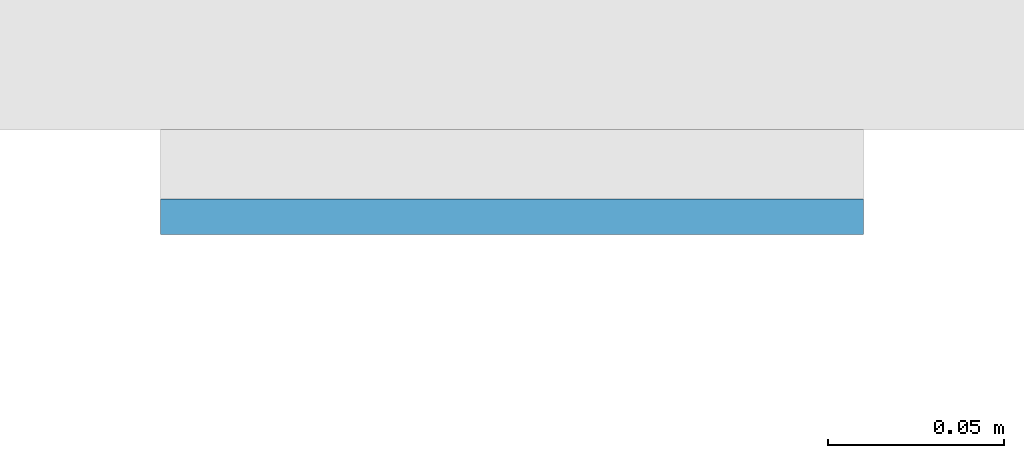
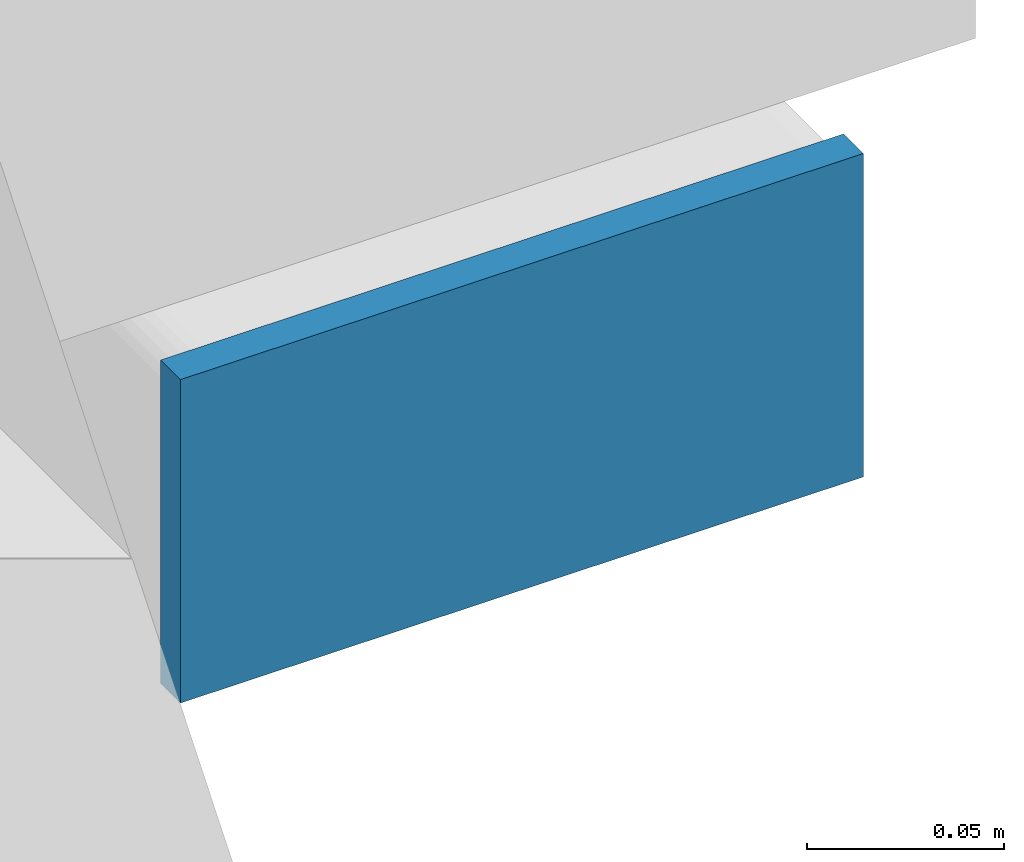
# One storey, part 5 of 12: 1 plate.
"""IFC4 building model written with IfcOpenShell, lengths in metres."""

from ifc_helpers import new_model, si_unit, direction, frame, origin, origin_2d, place, context, subcontext, project, spatial, rectangle, extrude, material, layer, layer_set, type_object, element, save


model = new_model("IFC4")

# Units and contexts
model_context = context("Model", 3, precision=1e-05, world=origin(), true_north=direction((0.0, 1.0)))
body_context = subcontext(model_context, "Body", "Model", "MODEL_VIEW")
ifc_project = project(units=[si_unit("LENGTHUNIT", "METRE"), si_unit("AREAUNIT", "SQUARE_METRE"), si_unit("VOLUMEUNIT", "CUBIC_METRE"), si_unit("PLANEANGLEUNIT", "RADIAN"), si_unit("MASSUNIT", "GRAM", prefix="KILO")], contexts=[model_context])

# Site, building, storey
site_placement = place(None, origin())
site = spatial("IfcSite", under=ifc_project, at=site_placement, CompositionType="ELEMENT")
building_placement = place(site_placement, origin())
building = spatial("IfcBuilding", under=site, at=building_placement, Name="Cleftline Residences", CompositionType="ELEMENT")
storey_placement = place(building_placement, frame((0.0, 0.0, 234.0)))
storey = spatial("IfcBuildingStorey", under=building, at=storey_placement, Name="L61", CompositionType="ELEMENT", Elevation=234.0)

# Plate
ifc_material = material(Name="Steel S355, hot-dip galvanised", Category="steel")
ifc_layer = layer(ifc_material, 0.010009765625)
ifc_layer_set = layer_set([ifc_layer], Name="BAGUETTE CARRIER END PLATE 200X100X10")
plate_type = type_object("IfcPlateType", Name="BAGUETTE CARRIER END PLATE 200X100X10", PredefinedType="USERDEFINED", material=ifc_layer_set)
plate_placement = place(storey_placement, frame((66.85009765625, 3.695068359375, -0.10009765625), z_axis=(0.0, 0.0, 1.0), x_axis=(1.0, 0.0, 0.0)))
element("IfcPlate", 1, at=plate_placement, inside=storey, type_object=plate_type, Name="Baguette carrier end plate", ObjectType="BAGUETTE CARRIER END PLATE", PredefinedType="USERDEFINED", context=body_context, shape_type="SweptSolid", body=[
    extrude(rectangle(XDim=0.199951171875, YDim=0.010009765625, at=origin_2d()), origin(), (0.0, 0.0, 1.0), 0.10009765625),
])

save(model, "model.ifc")
